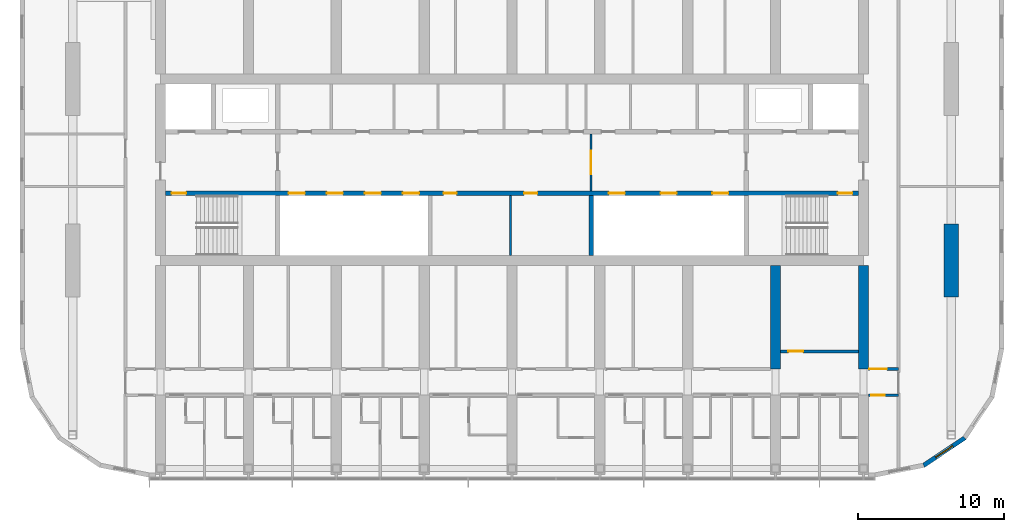
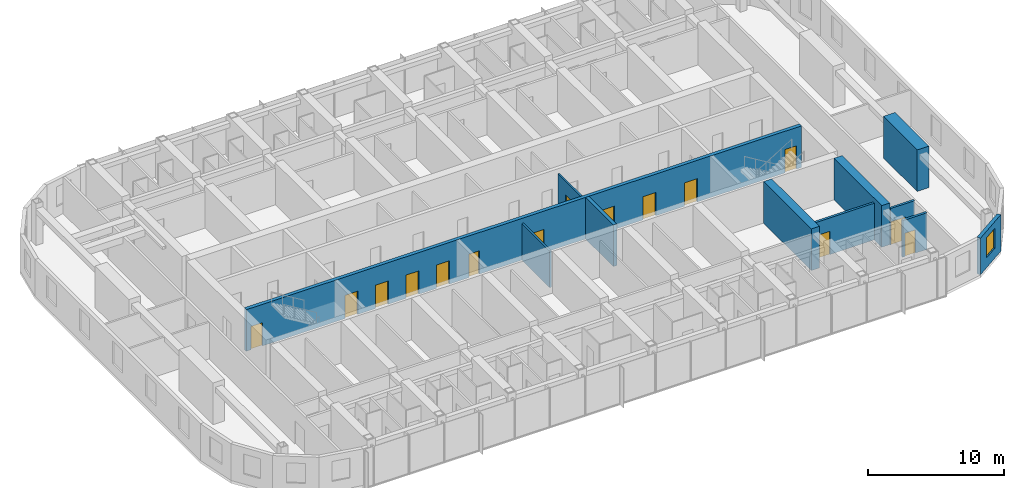
# One storey, part 14 of 24: 15 doors, 11 walls, 1 window, 16 openings.
"""IFC4 building model written with IfcOpenShell, lengths in metres."""

import ifcopenshell
import ifcopenshell.guid

model = None  # the IFC model being written
_history = None  # IfcOwnerHistory: only IFC2X3 demands one
_inside = {}  # id of a spatial element -> (the spatial element, [elements in it])
_under = {}  # id of a project, library or spatial element -> (it, [spatial elements below it])
_declared = {}  # id of a project -> (the project, [libraries it declares])
_typed = {}  # id of a type object -> (the type object, [elements of that type])
_made_of = {}  # id of a material, layer set ... -> (it, [elements and type objects made of it])


def new_model(schema):
    """Start an empty IFC model of exactly this schema.

    Asked for "IFC4X3", IfcOpenShell would pick the latest addendum, in which some entities
    have other attributes; the version numbers below select the first issue.
    IFC2X3 requires an IfcOwnerHistory on every rooted entity: one is made here for all.
    """
    global model, _history
    if schema == "IFC4X3":
        model = ifcopenshell.file(schema_version=(4, 3, 0, 0))
    else:
        model = ifcopenshell.file(schema=schema)
    _inside.clear()
    _under.clear()
    _declared.clear()
    _typed.clear()
    _made_of.clear()
    _history = None
    if model.schema == "IFC2X3":
        org = make("IfcOrganization", Name="unknown")
        user = make(
            "IfcPersonAndOrganization",
            ThePerson=make("IfcPerson", FamilyName="unknown"),
            TheOrganization=org,
        )
        app = make(
            "IfcApplication",
            ApplicationDeveloper=org,
            Version="unknown",
            ApplicationFullName="unknown",
            ApplicationIdentifier="unknown",
        )
        _history = make(
            "IfcOwnerHistory",
            OwningUser=user,
            OwningApplication=app,
            ChangeAction="ADDED",
            CreationDate=0,
        )
    return model


def make(cls, **values):
    """One entity of the class cls with the attributes given. An attribute that is None is left unset."""
    return model.create_entity(
        cls, **{name: value for name, value in values.items() if value is not None}
    )


def rooted(cls, **values):
    """An entity with a GlobalId (a new one), such as an element, a storey or a relation."""
    return make(cls, GlobalId=ifcopenshell.guid.new(), OwnerHistory=_history, **values)


def si_unit(unit_type, name, prefix=None):
    """IfcSIUnit, for example si_unit("LENGTHUNIT", "METRE", prefix="MILLI")."""
    return make("IfcSIUnit", UnitType=unit_type, Prefix=prefix, Name=name)


def assignment(units):
    """IfcUnitAssignment: the units of a project."""
    return None if units is None else make("IfcUnitAssignment", Units=units)


def point(xyz):
    """IfcCartesianPoint."""
    return None if xyz is None else make("IfcCartesianPoint", Coordinates=xyz)


def direction(xyz):
    """IfcDirection."""
    return None if xyz is None else make("IfcDirection", DirectionRatios=xyz)


def frame(location, z_axis=None, x_axis=None):
    """IfcAxis2Placement3D, a coordinate frame: its origin and axes. An axis left out is left unset."""
    return make(
        "IfcAxis2Placement3D",
        Location=point(location),
        Axis=direction(z_axis),
        RefDirection=direction(x_axis),
    )


def frame_2d(location, x_axis=None):
    """IfcAxis2Placement2D, a coordinate frame in the plane: its origin and x axis."""
    return make(
        "IfcAxis2Placement2D", Location=point(location), RefDirection=direction(x_axis)
    )


def origin():
    """The frame at (0, 0, 0) with its axes left unset."""
    return frame((0.0, 0.0, 0.0))


def place(relative_to, where):
    """IfcLocalPlacement: puts the frame where relative to a parent placement (None: the world)."""
    return make(
        "IfcLocalPlacement", PlacementRelTo=relative_to, RelativePlacement=where
    )


def context(
    kind, dimensions, precision=None, world=None, true_north=None, identifier=None
):
    """IfcGeometricRepresentationContext, for example the 3D "Model" context."""
    return make(
        "IfcGeometricRepresentationContext",
        ContextIdentifier=identifier,
        ContextType=kind,
        CoordinateSpaceDimension=dimensions,
        Precision=precision,
        WorldCoordinateSystem=world,
        TrueNorth=true_north,
    )


def subcontext(parent, identifier, kind, view, scale=None):
    """IfcGeometricRepresentationSubContext, for example "Body" below "Model"."""
    return make(
        "IfcGeometricRepresentationSubContext",
        ContextIdentifier=identifier,
        ContextType=kind,
        ParentContext=parent,
        TargetScale=scale,
        TargetView=view,
    )


def project(units=None, contexts=None):
    """IfcProject with its units and contexts."""
    return rooted(
        "IfcProject",
        Name="project",
        RepresentationContexts=contexts,
        UnitsInContext=assignment(units),
    )


def spatial(cls, under=None, at=None, **own):
    """A site, building, storey or space (cls), placed at a placement, below another one or the project."""
    s = rooted(cls, ObjectPlacement=at, **own)
    if under is not None:
        _under.setdefault(under.id(), (under, []))[1].append(s)
    return s


def polyline(points):
    """IfcPolyline through the points."""
    return make("IfcPolyline", Points=[point(p) for p in points])


def profile(cls, at=None, kind="AREA", **sizes):
    """A parametric profile (cls). Its sizes go by their IFC names, for example OverallWidth=200.0."""
    return make(cls, ProfileType=kind, Position=at, **sizes)


def rectangle(**sizes):
    """IfcRectangleProfileDef."""
    return profile("IfcRectangleProfileDef", **sizes)


def outline(outer, holes=None, kind="AREA"):
    """IfcArbitraryClosedProfileDef: a profile drawn as a closed curve; with holes, ...WithVoids."""
    if holes is None:
        return make("IfcArbitraryClosedProfileDef", ProfileType=kind, OuterCurve=outer)
    return make(
        "IfcArbitraryProfileDefWithVoids",
        ProfileType=kind,
        OuterCurve=outer,
        InnerCurves=holes,
    )


def extrude(swept, where, along, depth):
    """IfcExtrudedAreaSolid: the profile swept, set in the frame where, extruded along a direction by depth."""
    return make(
        "IfcExtrudedAreaSolid",
        SweptArea=swept,
        Position=where,
        ExtrudedDirection=direction(along),
        Depth=depth,
    )


def shape(context_of_items, identifier, shape_type, items):
    """IfcShapeRepresentation: the items that make up one representation, for example the "Body"."""
    return make(
        "IfcShapeRepresentation",
        ContextOfItems=context_of_items,
        RepresentationIdentifier=identifier,
        RepresentationType=shape_type,
        Items=items,
    )


def material(Name=None, Category=None):
    """IfcMaterial."""
    return make("IfcMaterial", Name=Name, Category=Category)


def layer(
    of_material, thickness, ventilated=None, Name=None, Category=None, Priority=None
):
    """IfcMaterialLayer: one layer of a wall or slab, of a material (None: an air gap)."""
    return make(
        "IfcMaterialLayer",
        Material=of_material,
        LayerThickness=thickness,
        IsVentilated=ventilated,
        Name=Name,
        Category=Category,
        Priority=Priority,
    )


def layer_set(layers, Name=None):
    """IfcMaterialLayerSet."""
    return make("IfcMaterialLayerSet", MaterialLayers=layers, LayerSetName=Name)


def made_of(thing, what):
    """Note that an element or type object is made of a material, layer set ...; save() writes the relation."""
    if what is not None:
        _made_of.setdefault(what.id(), (what, []))[1].append(thing)
    return thing


def type_object(cls, material=None, **own):
    """A type object (cls), such as IfcWallType, which elements share."""
    return made_of(rooted(cls, **own), material)


def element(
    cls,
    number,
    at=None,
    inside=None,
    cuts=None,
    type_object=None,
    material=None,
    context=None,
    identifier="Body",
    shape_type=None,
    held_by="IfcProductDefinitionShape",
    body=None,
    shapes=None,
    **own,
):
    """One element of the class cls, such as IfcWall. Its Tag is "e" and its number.

    at: its placement. inside: the storey or other place that contains it. cuts: it is an
    opening in that element (IfcRelVoidsElement). A single representation is given by context,
    identifier, shape_type and body (its items); several are given by shapes. held_by: the class
    of the entity that holds the representations. save() writes the other relations.
    """
    e = rooted(cls, Tag="e%d" % number, ObjectPlacement=at, **own)
    if body is not None:
        shapes = [shape(context, identifier, shape_type, body)]
    if shapes is not None:
        e.Representation = make(held_by, Representations=shapes)
    if inside is not None:
        _inside.setdefault(inside.id(), (inside, []))[1].append(e)
    if cuts is not None:
        rooted(
            "IfcRelVoidsElement", RelatingBuildingElement=cuts, RelatedOpeningElement=e
        )
    if type_object is not None:
        _typed.setdefault(type_object.id(), (type_object, []))[1].append(e)
    return made_of(e, material)


def fill(opening, filler):
    """IfcRelFillsElement: the door or window that sits in an opening."""
    return rooted(
        "IfcRelFillsElement",
        RelatingOpeningElement=opening,
        RelatedBuildingElement=filler,
    )


def aggregate(whole, parts):
    """IfcRelAggregates: a whole, such as a stair, and the parts it consists of."""
    return rooted("IfcRelAggregates", RelatingObject=whole, RelatedObjects=parts)


def save(model, path):
    """Write the relations noted so far, then the file.

    IfcRelAggregates (storeys below a building ...), IfcRelContainedInSpatialStructure (elements
    in a storey), IfcRelDefinesByType, IfcRelAssociatesMaterial and IfcRelDeclares: one each for
    every whole, place, type object, material and project.
    """
    for whole, parts in _under.values():
        aggregate(whole, parts)
    for where, things in _inside.values():
        rooted(
            "IfcRelContainedInSpatialStructure",
            RelatedElements=things,
            RelatingStructure=where,
        )
    for kind, things in _typed.values():
        rooted("IfcRelDefinesByType", RelatedObjects=things, RelatingType=kind)
    for what, things in _made_of.values():
        rooted("IfcRelAssociatesMaterial", RelatedObjects=things, RelatingMaterial=what)
    for by, libraries in _declared.values():
        rooted("IfcRelDeclares", RelatingContext=by, RelatedDefinitions=libraries)
    model.write(path)


model = new_model("IFC4")

# Units and contexts
model_context = context("Model", 3, precision=1e-05, world=origin(), true_north=direction((0.0, 1.0)))
body_context = subcontext(model_context, "Body", "Model", "MODEL_VIEW")
ifc_project = project(units=[si_unit("LENGTHUNIT", "METRE"), si_unit("AREAUNIT", "SQUARE_METRE"), si_unit("VOLUMEUNIT", "CUBIC_METRE"), si_unit("PLANEANGLEUNIT", "RADIAN"), si_unit("MASSUNIT", "GRAM", prefix="KILO")], contexts=[model_context])

# Site, building, storey
site_placement = place(None, origin())
site = spatial("IfcSite", under=ifc_project, at=site_placement, CompositionType="ELEMENT")
building_placement = place(site_placement, origin())
building = spatial("IfcBuilding", under=site, at=building_placement, Name="Orbita Commons", CompositionType="ELEMENT")
storey_placement = place(building_placement, frame((0.0, 0.0, 242.800048828125)))
storey = spatial("IfcBuildingStorey", under=building, at=storey_placement, Name="L60", CompositionType="ELEMENT", Elevation=242.800048828125)

# Wall, openings, doors
ifc_material_1 = material(Name="Concrete C50/60", Category="concrete")
ifc_layer_1 = layer(ifc_material_1, 0.300048828125)
ifc_layer_set_1 = layer_set([ifc_layer_1], Name="Concrete C50/60")
wall_type_1 = type_object("IfcWallType", Name="Core inner wall 300 C50/60", PredefinedType="SHEAR", material=ifc_layer_set_1)
wall_1_placement = place(storey_placement, frame((18.35009765625, 30.39990234375, 0.0), z_axis=(0.0, 0.0, 1.0), x_axis=(1.0, 0.0, 0.0)))
wall_1 = element("IfcWall", 1, at=wall_1_placement, inside=storey, type_object=wall_type_1, Name="Lobby wall south L60", PredefinedType="SHEAR", context=body_context, shape_type="SweptSolid", body=[
    extrude(rectangle(XDim=47.2998046875, YDim=0.300048828125, at=frame_2d((23.64990234375, 0.0))), origin(), (0.0, 0.0, 1.0), 3.75),
])
opening_1_placement = place(wall_1_placement, frame((0.39990234375, 0.0, 0.0)))
opening_1 = element("IfcOpeningElement", 2, at=opening_1_placement, cuts=wall_1, Name="Opening D02", PredefinedType="OPENING", context=body_context, shape_type="SweptSolid", body=[
    extrude(rectangle(XDim=1.0, YDim=2.10009765625, at=frame_2d((0.5, 1.050048828125))), frame((0.0, 0.159912109375, 0.0), z_axis=(0.0, -1.0, 0.0), x_axis=(1.0, 0.0, 0.0)), (0.0, 0.0, 1.0), 0.320068359375),
])
opening_2_placement = place(wall_1_placement, frame((45.89990234375, 0.0, 0.0)))
opening_2 = element("IfcOpeningElement", 3, at=opening_2_placement, cuts=wall_1, Name="Opening D02", PredefinedType="OPENING", context=body_context, shape_type="SweptSolid", body=[
    extrude(rectangle(XDim=1.0, YDim=2.10009765625, at=frame_2d((0.5, 1.050048828125))), frame((0.0, 0.159912109375, 0.0), z_axis=(0.0, -1.0, 0.0), x_axis=(1.0, 0.0, 0.0)), (0.0, 0.0, 1.0), 0.320068359375),
])
opening_3_placement = place(wall_1_placement, frame((8.39990234375, 0.0, 0.0)))
opening_3 = element("IfcOpeningElement", 4, at=opening_3_placement, cuts=wall_1, Name="Opening LD02", PredefinedType="OPENING", context=body_context, shape_type="SweptSolid", body=[
    extrude(rectangle(XDim=1.10009765625, YDim=2.10009765625, at=frame_2d((0.550048828125, 1.050048828125))), frame((0.0, 0.159912109375, 0.0), z_axis=(0.0, -1.0, 0.0), x_axis=(1.0, 0.0, 0.0)), (0.0, 0.0, 1.0), 0.320068359375),
])
opening_4_placement = place(wall_1_placement, frame((11.0, 0.0, 0.0)))
opening_4 = element("IfcOpeningElement", 5, at=opening_4_placement, cuts=wall_1, Name="Opening LD02", PredefinedType="OPENING", context=body_context, shape_type="SweptSolid", body=[
    extrude(rectangle(XDim=1.10009765625, YDim=2.10009765625, at=frame_2d((0.550048828125, 1.050048828125))), frame((0.0, 0.159912109375, 0.0), z_axis=(0.0, -1.0, 0.0), x_axis=(1.0, 0.0, 0.0)), (0.0, 0.0, 1.0), 0.320068359375),
])
opening_5_placement = place(wall_1_placement, frame((13.60009765625, 0.0, 0.0)))
opening_5 = element("IfcOpeningElement", 6, at=opening_5_placement, cuts=wall_1, Name="Opening LD02", PredefinedType="OPENING", context=body_context, shape_type="SweptSolid", body=[
    extrude(rectangle(XDim=1.10009765625, YDim=2.10009765625, at=frame_2d((0.550048828125, 1.050048828125))), frame((0.0, 0.159912109375, 0.0), z_axis=(0.0, -1.0, 0.0), x_axis=(1.0, 0.0, 0.0)), (0.0, 0.0, 1.0), 0.320068359375),
])
opening_6_placement = place(wall_1_placement, frame((16.199951171875, 0.0, 0.0)))
opening_6 = element("IfcOpeningElement", 7, at=opening_6_placement, cuts=wall_1, Name="Opening LD02", PredefinedType="OPENING", context=body_context, shape_type="SweptSolid", body=[
    extrude(rectangle(XDim=1.10009765625, YDim=2.10009765625, at=frame_2d((0.550048828125, 1.050048828125))), frame((0.0, 0.159912109375, 0.0), z_axis=(0.0, -1.0, 0.0), x_axis=(1.0, 0.0, 0.0)), (0.0, 0.0, 1.0), 0.320068359375),
])
opening_7_placement = place(wall_1_placement, frame((18.97509765625, 0.0, 0.0)))
opening_7 = element("IfcOpeningElement", 8, at=opening_7_placement, cuts=wall_1, Name="Opening D05", PredefinedType="OPENING", context=body_context, shape_type="SweptSolid", body=[
    extrude(rectangle(XDim=0.89990234375, YDim=2.10009765625, at=frame_2d((0.449951171875, 1.050048828125))), frame((0.0, 0.159912109375, 0.0), z_axis=(0.0, -1.0, 0.0), x_axis=(1.0, 0.0, 0.0)), (0.0, 0.0, 1.0), 0.320068359375),
])
opening_8_placement = place(wall_1_placement, frame((24.47509765625, 0.0, 0.0)))
opening_8 = element("IfcOpeningElement", 9, at=opening_8_placement, cuts=wall_1, Name="Opening D05", PredefinedType="OPENING", context=body_context, shape_type="SweptSolid", body=[
    extrude(rectangle(XDim=0.89990234375, YDim=2.10009765625, at=frame_2d((0.449951171875, 1.050048828125))), frame((0.0, 0.159912109375, 0.0), z_axis=(0.0, -1.0, 0.0), x_axis=(1.0, 0.0, 0.0)), (0.0, 0.0, 1.0), 0.320068359375),
])
opening_9_placement = place(wall_1_placement, frame((30.2666015625, 0.0, 0.0)))
opening_9 = element("IfcOpeningElement", 10, at=opening_9_placement, cuts=wall_1, Name="Opening LD02", PredefinedType="OPENING", context=body_context, shape_type="SweptSolid", body=[
    extrude(rectangle(XDim=1.10009765625, YDim=2.10009765625, at=frame_2d((0.550048828125, 1.050048828125))), frame((0.0, 0.159912109375, 0.0), z_axis=(0.0, -1.0, 0.0), x_axis=(1.0, 0.0, 0.0)), (0.0, 0.0, 1.0), 0.320068359375),
])
opening_10_placement = place(wall_1_placement, frame((33.800048828125, 0.0, 0.0)))
opening_10 = element("IfcOpeningElement", 11, at=opening_10_placement, cuts=wall_1, Name="Opening LD02", PredefinedType="OPENING", context=body_context, shape_type="SweptSolid", body=[
    extrude(rectangle(XDim=1.10009765625, YDim=2.10009765625, at=frame_2d((0.550048828125, 1.050048828125))), frame((0.0, 0.159912109375, 0.0), z_axis=(0.0, -1.0, 0.0), x_axis=(1.0, 0.0, 0.0)), (0.0, 0.0, 1.0), 0.320068359375),
])
opening_11_placement = place(wall_1_placement, frame((37.333251953125, 0.0, 0.0)))
opening_11 = element("IfcOpeningElement", 12, at=opening_11_placement, cuts=wall_1, Name="Opening LD02", PredefinedType="OPENING", context=body_context, shape_type="SweptSolid", body=[
    extrude(rectangle(XDim=1.10009765625, YDim=2.10009765625, at=frame_2d((0.550048828125, 1.050048828125))), frame((0.0, 0.159912109375, 0.0), z_axis=(0.0, -1.0, 0.0), x_axis=(1.0, 0.0, 0.0)), (0.0, 0.0, 1.0), 0.320068359375),
])
ifc_material_2 = material(Name="Steel-faced fire door leaf", Category="steel")
door_type_1 = type_object("IfcDoorType", Name="Fire door 90 min 1000x2100", OperationType="SINGLE_SWING_LEFT", PredefinedType="DOOR", material=ifc_material_2)
door_1_placement = place(opening_1_placement, origin())
door_1 = element("IfcDoor", 13, at=door_1_placement, inside=storey, type_object=door_type_1, Name="Stair S1 door", OperationType="SINGLE_SWING_LEFT", OverallHeight=2.10009765625, OverallWidth=1.0, PredefinedType="DOOR", context=body_context, shape_type="SweptSolid", body=[
    extrude(rectangle(XDim=1.0, YDim=2.10009765625, at=frame_2d((0.5, 1.050048828125))), frame((0.0, 0.02490234375, 0.0), z_axis=(0.0, -1.0, 0.0), x_axis=(1.0, 0.0, 0.0)), (0.0, 0.0, 1.0), 0.050048828125),
])
fill(opening_1, door_1)
door_2_placement = place(opening_2_placement, origin())
door_2 = element("IfcDoor", 14, at=door_2_placement, inside=storey, type_object=door_type_1, Name="Stair S2 door", OperationType="SINGLE_SWING_LEFT", OverallHeight=2.10009765625, OverallWidth=1.0, PredefinedType="DOOR", context=body_context, shape_type="SweptSolid", body=[
    extrude(rectangle(XDim=1.0, YDim=2.10009765625, at=frame_2d((0.5, 1.050048828125))), frame((0.0, 0.02490234375, 0.0), z_axis=(0.0, -1.0, 0.0), x_axis=(1.0, 0.0, 0.0)), (0.0, 0.0, 1.0), 0.050048828125),
])
fill(opening_2, door_2)
ifc_material_3 = material(Name="Steel-faced fire door leaf", Category="steel")
door_type_2 = type_object("IfcDoorType", Name="Lift landing door 1100x2100", OperationType="DOUBLE_DOOR_SLIDING", PredefinedType="DOOR", material=ifc_material_3)
door_3_placement = place(opening_3_placement, origin())
door_3 = element("IfcDoor", 15, at=door_3_placement, inside=storey, type_object=door_type_2, Name="Lift P41 landing door", OperationType="DOUBLE_DOOR_SLIDING", OverallHeight=2.10009765625, OverallWidth=1.10009765625, PredefinedType="DOOR", context=body_context, shape_type="SweptSolid", body=[
    extrude(rectangle(XDim=1.10009765625, YDim=2.10009765625, at=frame_2d((0.550048828125, 1.050048828125))), frame((0.0, 0.02490234375, 0.0), z_axis=(0.0, -1.0, 0.0), x_axis=(1.0, 0.0, 0.0)), (0.0, 0.0, 1.0), 0.050048828125),
])
fill(opening_3, door_3)
door_4_placement = place(opening_4_placement, origin())
door_4 = element("IfcDoor", 16, at=door_4_placement, inside=storey, type_object=door_type_2, Name="Lift P42 landing door", OperationType="DOUBLE_DOOR_SLIDING", OverallHeight=2.10009765625, OverallWidth=1.10009765625, PredefinedType="DOOR", context=body_context, shape_type="SweptSolid", body=[
    extrude(rectangle(XDim=1.10009765625, YDim=2.10009765625, at=frame_2d((0.550048828125, 1.050048828125))), frame((0.0, 0.02490234375, 0.0), z_axis=(0.0, -1.0, 0.0), x_axis=(1.0, 0.0, 0.0)), (0.0, 0.0, 1.0), 0.050048828125),
])
fill(opening_4, door_4)
door_5_placement = place(opening_5_placement, origin())
door_5 = element("IfcDoor", 17, at=door_5_placement, inside=storey, type_object=door_type_2, Name="Lift P43 landing door", OperationType="DOUBLE_DOOR_SLIDING", OverallHeight=2.10009765625, OverallWidth=1.10009765625, PredefinedType="DOOR", context=body_context, shape_type="SweptSolid", body=[
    extrude(rectangle(XDim=1.10009765625, YDim=2.10009765625, at=frame_2d((0.550048828125, 1.050048828125))), frame((0.0, 0.02490234375, 0.0), z_axis=(0.0, -1.0, 0.0), x_axis=(1.0, 0.0, 0.0)), (0.0, 0.0, 1.0), 0.050048828125),
])
fill(opening_5, door_5)
door_6_placement = place(opening_6_placement, origin())
door_6 = element("IfcDoor", 18, at=door_6_placement, inside=storey, type_object=door_type_2, Name="Lift P44 landing door", OperationType="DOUBLE_DOOR_SLIDING", OverallHeight=2.10009765625, OverallWidth=1.10009765625, PredefinedType="DOOR", context=body_context, shape_type="SweptSolid", body=[
    extrude(rectangle(XDim=1.10009765625, YDim=2.10009765625, at=frame_2d((0.550048828125, 1.050048828125))), frame((0.0, 0.02490234375, 0.0), z_axis=(0.0, -1.0, 0.0), x_axis=(1.0, 0.0, 0.0)), (0.0, 0.0, 1.0), 0.050048828125),
])
fill(opening_6, door_6)
door_7_placement = place(opening_9_placement, origin())
door_7 = element("IfcDoor", 19, at=door_7_placement, inside=storey, type_object=door_type_2, Name="Lift SV1 landing door", OperationType="DOUBLE_DOOR_SLIDING", OverallHeight=2.10009765625, OverallWidth=1.10009765625, PredefinedType="DOOR", context=body_context, shape_type="SweptSolid", body=[
    extrude(rectangle(XDim=1.10009765625, YDim=2.10009765625, at=frame_2d((0.550048828125, 1.050048828125))), frame((0.0, 0.02490234375, 0.0), z_axis=(0.0, -1.0, 0.0), x_axis=(1.0, 0.0, 0.0)), (0.0, 0.0, 1.0), 0.050048828125),
])
fill(opening_9, door_7)
door_8_placement = place(opening_10_placement, origin())
door_8 = element("IfcDoor", 20, at=door_8_placement, inside=storey, type_object=door_type_2, Name="Lift SV2 landing door", OperationType="DOUBLE_DOOR_SLIDING", OverallHeight=2.10009765625, OverallWidth=1.10009765625, PredefinedType="DOOR", context=body_context, shape_type="SweptSolid", body=[
    extrude(rectangle(XDim=1.10009765625, YDim=2.10009765625, at=frame_2d((0.550048828125, 1.050048828125))), frame((0.0, 0.02490234375, 0.0), z_axis=(0.0, -1.0, 0.0), x_axis=(1.0, 0.0, 0.0)), (0.0, 0.0, 1.0), 0.050048828125),
])
fill(opening_10, door_8)
door_9_placement = place(opening_11_placement, origin())
door_9 = element("IfcDoor", 21, at=door_9_placement, inside=storey, type_object=door_type_2, Name="Lift SV3 landing door", OperationType="DOUBLE_DOOR_SLIDING", OverallHeight=2.10009765625, OverallWidth=1.10009765625, PredefinedType="DOOR", context=body_context, shape_type="SweptSolid", body=[
    extrude(rectangle(XDim=1.10009765625, YDim=2.10009765625, at=frame_2d((0.550048828125, 1.050048828125))), frame((0.0, 0.02490234375, 0.0), z_axis=(0.0, -1.0, 0.0), x_axis=(1.0, 0.0, 0.0)), (0.0, 0.0, 1.0), 0.050048828125),
])
fill(opening_11, door_9)
ifc_material_4 = material(Name="Steel-faced fire door leaf", Category="steel")
door_type_3 = type_object("IfcDoorType", Name="Service door 20 min 900x2100", OperationType="SINGLE_SWING_LEFT", PredefinedType="DOOR", material=ifc_material_4)
door_10_placement = place(opening_7_placement, origin())
door_10 = element("IfcDoor", 22, at=door_10_placement, inside=storey, type_object=door_type_3, Name="Equipment store door", OperationType="SINGLE_SWING_LEFT", OverallHeight=2.10009765625, OverallWidth=0.89990234375, PredefinedType="DOOR", context=body_context, shape_type="SweptSolid", body=[
    extrude(rectangle(XDim=0.89990234375, YDim=2.10009765625, at=frame_2d((0.449951171875, 1.050048828125))), frame((0.0, 0.02490234375, 0.0), z_axis=(0.0, -1.0, 0.0), x_axis=(1.0, 0.0, 0.0)), (0.0, 0.0, 1.0), 0.050048828125),
])
fill(opening_7, door_10)
door_11_placement = place(opening_8_placement, origin())
door_11 = element("IfcDoor", 23, at=door_11_placement, inside=storey, type_object=door_type_3, Name="IT room door", OperationType="SINGLE_SWING_LEFT", OverallHeight=2.10009765625, OverallWidth=0.89990234375, PredefinedType="DOOR", context=body_context, shape_type="SweptSolid", body=[
    extrude(rectangle(XDim=0.89990234375, YDim=2.10009765625, at=frame_2d((0.449951171875, 1.050048828125))), frame((0.0, 0.02490234375, 0.0), z_axis=(0.0, -1.0, 0.0), x_axis=(1.0, 0.0, 0.0)), (0.0, 0.0, 1.0), 0.050048828125),
])
fill(opening_8, door_11)

# Wall
wall_2_placement = place(storey_placement, frame((47.39990234375, 26.14990234375, 0.0), z_axis=(0.0, 0.0, 1.0), x_axis=(0.0, 1.0, 0.0)))
element("IfcWall", 24, at=wall_2_placement, inside=storey, type_object=wall_type_1, Name="Hoistway division wall L60", PredefinedType="SHEAR", context=body_context, shape_type="SweptSolid", body=[
    extrude(rectangle(XDim=4.10009765625, YDim=0.300048828125, at=frame_2d((2.050048828125, 0.0))), origin(), (0.0, 0.0, 1.0), 3.75),
])

# Wall, opening, door
ifc_material_5 = material(Name="Concrete blockwork", Category="masonry")
ifc_layer_2 = layer(ifc_material_5, 0.14990234375)
ifc_layer_set_2 = layer_set([ifc_layer_2], Name="Concrete blockwork")
wall_type_2 = type_object("IfcWallType", Name="Core partition 150 blockwork", PredefinedType="SOLIDWALL", material=ifc_layer_set_2)
wall_3_placement = place(storey_placement, frame((47.39990234375, 30.550048828125, 0.0), z_axis=(0.0, 0.0, 1.0), x_axis=(0.0, 1.0, 0.0)))
wall_3 = element("IfcWall", 25, at=wall_3_placement, inside=storey, type_object=wall_type_2, Name="Core partition 150 blockwork L60", PredefinedType="SOLIDWALL", context=body_context, shape_type="SweptSolid", body=[
    extrude(rectangle(XDim=3.89990234375, YDim=0.14990234375, at=frame_2d((1.949951171875, 0.0))), origin(), (0.0, 0.0, 1.0), 3.300048828125),
])
opening_12_placement = place(wall_3_placement, frame((1.14990234375, 0.0, 0.0)))
opening_12 = element("IfcOpeningElement", 26, at=opening_12_placement, cuts=wall_3, Name="Opening D10", PredefinedType="OPENING", context=body_context, shape_type="SweptSolid", body=[
    extrude(rectangle(XDim=1.60009765625, YDim=2.10009765625, at=frame_2d((0.800048828125, 1.050048828125))), frame((0.0, 0.0849609375, 0.0), z_axis=(0.0, -1.0, 0.0), x_axis=(1.0, 0.0, 0.0)), (0.0, 0.0, 1.0), 0.169921875),
])
ifc_material_6 = material(Name="Steel-faced fire door leaf", Category="steel")
door_type_4 = type_object("IfcDoorType", Name="Double corridor door 20 min 1600x2100", OperationType="DOUBLE_DOOR_SINGLE_SWING", PredefinedType="DOOR", material=ifc_material_6)
door_12_placement = place(opening_12_placement, origin())
door_12 = element("IfcDoor", 27, at=door_12_placement, inside=storey, type_object=door_type_4, Name="Lift lobby screen doors", OperationType="DOUBLE_DOOR_SINGLE_SWING", OverallHeight=2.10009765625, OverallWidth=1.60009765625, PredefinedType="DOOR", context=body_context, shape_type="SweptSolid", body=[
    extrude(rectangle(XDim=1.60009765625, YDim=2.10009765625, at=frame_2d((0.800048828125, 1.050048828125))), frame((0.0, 0.02490234375, 0.0), z_axis=(0.0, -1.0, 0.0), x_axis=(1.0, 0.0, 0.0)), (0.0, 0.0, 1.0), 0.050048828125),
])
fill(opening_12, door_12)

# Wall
wall_4_placement = place(storey_placement, frame((41.89990234375, 26.14990234375, 0.0), z_axis=(0.0, 0.0, 1.0), x_axis=(0.0, 1.0, 0.0)))
element("IfcWall", 28, at=wall_4_placement, inside=storey, type_object=wall_type_2, Name="Core partition 150 blockwork L60", PredefinedType="SOLIDWALL", context=body_context, shape_type="SweptSolid", body=[
    extrude(rectangle(XDim=4.10009765625, YDim=0.14990234375, at=frame_2d((2.050048828125, 0.0))), origin(), (0.0, 0.0, 1.0), 3.300048828125),
])

# Wall, opening, door
ifc_material_7 = material(Name="Concrete blockwork", Category="masonry")
ifc_layer_3 = layer(ifc_material_7, 0.199951171875)
ifc_layer_set_3 = layer_set([ifc_layer_3], Name="Concrete blockwork")
wall_type_3 = type_object("IfcWallType", Name="Corridor wall 200 blockwork", PredefinedType="SOLIDWALL", material=ifc_layer_set_3)
wall_5_placement = place(storey_placement, frame((66.35009765625, 16.60009765625, 0.0), z_axis=(0.0, 0.0, 1.0), x_axis=(1.0, 0.0, 0.0)))
wall_5 = element("IfcWall", 29, at=wall_5_placement, inside=storey, type_object=wall_type_3, Name="Corridor wall 200 blockwork L60", PredefinedType="SOLIDWALL", context=body_context, shape_type="SweptSolid", body=[
    extrude(rectangle(XDim=2.0498046875, YDim=0.199951171875, at=frame_2d((1.02490234375, 0.0))), origin(), (0.0, 0.0, 1.0), 3.300048828125),
])
opening_13_placement = place(wall_5_placement, frame((0.199951171875, 0.0, 0.0)))
opening_13 = element("IfcOpeningElement", 30, at=opening_13_placement, cuts=wall_5, Name="Opening D05", PredefinedType="OPENING", context=body_context, shape_type="SweptSolid", body=[
    extrude(rectangle(XDim=0.89990234375, YDim=2.10009765625, at=frame_2d((0.449951171875, 1.050048828125))), frame((0.0, 0.10986328125, 0.0), z_axis=(0.0, -1.0, 0.0), x_axis=(1.0, 0.0, 0.0)), (0.0, 0.0, 1.0), 0.219970703125),
])
door_13_placement = place(opening_13_placement, origin())
door_13 = element("IfcDoor", 31, at=door_13_placement, inside=storey, type_object=door_type_3, Name="Linen store L60-KES door", OperationType="SINGLE_SWING_LEFT", OverallHeight=2.10009765625, OverallWidth=0.89990234375, PredefinedType="DOOR", context=body_context, shape_type="SweptSolid", body=[
    extrude(rectangle(XDim=0.89990234375, YDim=2.10009765625, at=frame_2d((0.449951171875, 1.050048828125))), frame((0.0, 0.02490234375, 0.0), z_axis=(0.0, -1.0, 0.0), x_axis=(1.0, 0.0, 0.0)), (0.0, 0.0, 1.0), 0.050048828125),
])
fill(opening_13, door_13)

ifc_material_8 = material(Name="Hollow concrete block 200", Category="concrete")
ifc_layer_4 = layer(ifc_material_8, 0.199951171875)
ifc_layer_set_4 = layer_set([ifc_layer_4], Name="Hollow concrete block 200")
wall_type_4 = type_object("IfcWallType", Name="Corridor wall 200 hollow concrete block", PredefinedType="SOLIDWALL", material=ifc_layer_set_4)
wall_6_placement = place(storey_placement, frame((66.35009765625, 18.39990234375, 0.0), z_axis=(0.0, 0.0, 1.0), x_axis=(1.0, 0.0, 0.0)))
wall_6 = element("IfcWall", 32, at=wall_6_placement, inside=storey, type_object=wall_type_4, Name="Corridor wall 200 hollow concrete block L60", PredefinedType="SOLIDWALL", context=body_context, shape_type="SweptSolid", body=[
    extrude(rectangle(XDim=2.0498046875, YDim=0.199951171875, at=frame_2d((1.02490234375, 0.0))), origin(), (0.0, 0.0, 1.0), 3.300048828125),
])
opening_14_placement = place(wall_6_placement, frame((0.050048828125, 0.0, 0.0)))
opening_14 = element("IfcOpeningElement", 33, at=opening_14_placement, cuts=wall_6, Name="Opening D12", PredefinedType="OPENING", context=body_context, shape_type="SweptSolid", body=[
    extrude(rectangle(XDim=1.199951171875, YDim=2.10009765625, at=frame_2d((0.60009765625, 1.050048828125))), frame((0.0, 0.10986328125, 0.0), z_axis=(0.0, -1.0, 0.0), x_axis=(1.0, 0.0, 0.0)), (0.0, 0.0, 1.0), 0.219970703125),
])
ifc_material_9 = material(Name="Steel-faced fire door leaf", Category="steel")
door_type_5 = type_object("IfcDoorType", Name="Double corridor door 20 min 1200x2100", OperationType="DOUBLE_DOOR_SINGLE_SWING", PredefinedType="DOOR", material=ifc_material_9)
door_14_placement = place(opening_14_placement, origin())
door_14 = element("IfcDoor", 34, at=door_14_placement, inside=storey, type_object=door_type_5, Name="Cross corridor doors", OperationType="DOUBLE_DOOR_SINGLE_SWING", OverallHeight=2.10009765625, OverallWidth=1.199951171875, PredefinedType="DOOR", context=body_context, shape_type="SweptSolid", body=[
    extrude(rectangle(XDim=1.199951171875, YDim=2.10009765625, at=frame_2d((0.60009765625, 1.050048828125))), frame((0.0, 0.02490234375, 0.0), z_axis=(0.0, -1.0, 0.0), x_axis=(1.0, 0.0, 0.0)), (0.0, 0.0, 1.0), 0.050048828125),
])
fill(opening_14, door_14)

wall_7_placement = place(storey_placement, frame((60.35009765625, 19.60009765625, 0.0), z_axis=(0.0, 0.0, 1.0), x_axis=(1.0, 0.0, 0.0)))
wall_7 = element("IfcWall", 35, at=wall_7_placement, inside=storey, type_object=wall_type_4, Name="Corridor wall 200 hollow concrete block L60", PredefinedType="SOLIDWALL", context=body_context, shape_type="SweptSolid", body=[
    extrude(rectangle(XDim=5.2998046875, YDim=0.199951171875, at=frame_2d((2.64990234375, 0.0))), origin(), (0.0, 0.0, 1.0), 3.300048828125),
])
opening_15_placement = place(wall_7_placement, frame((0.52490234375, 0.0, 0.0)))
opening_15 = element("IfcOpeningElement", 36, at=opening_15_placement, cuts=wall_7, Name="Opening D06", PredefinedType="OPENING", context=body_context, shape_type="SweptSolid", body=[
    extrude(rectangle(XDim=1.0, YDim=2.10009765625, at=frame_2d((0.5, 1.050048828125))), frame((0.0, 0.10986328125, 0.0), z_axis=(0.0, -1.0, 0.0), x_axis=(1.0, 0.0, 0.0)), (0.0, 0.0, 1.0), 0.219970703125),
])
ifc_material_10 = material(Name="Steel-faced fire door leaf", Category="steel")
door_type_6 = type_object("IfcDoorType", Name="Corridor door 20 min 1000x2100", OperationType="SINGLE_SWING_LEFT", PredefinedType="DOOR", material=ifc_material_10)
door_15_placement = place(opening_15_placement, origin())
door_15 = element("IfcDoor", 37, at=door_15_placement, inside=storey, type_object=door_type_6, Name="Ventilation plant room north L60-BDS60 door", OperationType="SINGLE_SWING_LEFT", OverallHeight=2.10009765625, OverallWidth=1.0, PredefinedType="DOOR", context=body_context, shape_type="SweptSolid", body=[
    extrude(rectangle(XDim=1.0, YDim=2.10009765625, at=frame_2d((0.5, 1.050048828125))), frame((0.0, 0.02490234375, 0.0), z_axis=(0.0, -1.0, 0.0), x_axis=(1.0, 0.0, 0.0)), (0.0, 0.0, 1.0), 0.050048828125),
])
fill(opening_15, door_15)

# Walls
ifc_material_11 = material(Name="Concrete C50/60", Category="concrete")
ifc_layer_5 = layer(ifc_material_11, 0.699951171875)
ifc_layer_set_5 = layer_set([ifc_layer_5], Name="Concrete C50/60")
wall_type_5 = type_object("IfcWallType", Name="Cross wall 700 C50/60", PredefinedType="SHEAR", material=ifc_layer_set_5)
for number, where, z_axis, x_axis, name in (
    (38, (60.0, 18.39990234375, 0.0), (0.0, 0.0, 1.0), (0.0, 1.0, 0.0), "Cross wall 11 south inner L60"),
    (39, (66.0, 18.39990234375, 0.0), (0.0, 0.0, 1.0), (0.0, 1.0, 0.0), "Cross wall 12 south inner L60"),
):
    element("IfcWall", number, at=place(storey_placement, frame(where, z_axis=z_axis, x_axis=x_axis)), inside=storey, type_object=wall_type_5, Name=name, PredefinedType="SHEAR", context=body_context, shape_type="SweptSolid", body=[
        extrude(rectangle(XDim=7.050048828125, YDim=0.699951171875, at=frame_2d((3.52490234375, 0.0))), origin(), (0.0, 0.0, 1.0), 3.75),
    ])
ifc_material_12 = material(Name="Concrete C50/60", Category="concrete")
ifc_layer_6 = layer(ifc_material_12, 1.0)
ifc_layer_set_6 = layer_set([ifc_layer_6], Name="Concrete C50/60")
wall_type_6 = type_object("IfcWallType", Name="End pier 1000x5000 C50/60", PredefinedType="SHEAR", material=ifc_layer_set_6)
wall_8_placement = place(storey_placement, frame((72.0, 23.300048828125, 0.0), z_axis=(0.0, 0.0, 1.0), x_axis=(0.0, 1.0, 0.0)))
element("IfcWall", 40, at=wall_8_placement, inside=storey, type_object=wall_type_6, Name="End pier 13/C L60", PredefinedType="SHEAR", context=body_context, shape_type="SweptSolid", body=[
    extrude(rectangle(XDim=5.0, YDim=1.0, at=frame_2d((2.5, 0.0))), origin(), (0.0, 0.0, 1.0), 3.75),
])

# Wall, opening, window
ifc_material_13 = material(Name="Precast concrete C40/50, white board-marked finish", Category="concrete")
ifc_layer_7 = layer(ifc_material_13, 0.300048828125)
ifc_layer_set_7 = layer_set([ifc_layer_7], Name="Precast concrete C40/50, white board-marked finish")
wall_type_7 = type_object("IfcWallType", Name="Precast concrete end shield 300", PredefinedType="SOLIDWALL", material=ifc_layer_set_7)
wall_9_placement = place(storey_placement, frame((70.110107421875, 11.808349609375, 0.0), z_axis=(0.0, 0.0, 1.0), x_axis=(0.831460037396, 0.555584562613, 0.0)))
wall_9 = element("IfcWall", 41, at=wall_9_placement, inside=storey, type_object=wall_type_7, Name="End shield SE chord 2 L60", PredefinedType="SOLIDWALL", context=body_context, shape_type="SweptSolid", body=[
    extrude(outline(polyline([(-0.02978515625, -0.14990234375), (3.405029296875, -0.14990234375), (3.345458984375, 0.14990234375), (0.02978515625, 0.14990234375), (-0.02978515625, -0.14990234375)])), origin(), (0.0, 0.0, 1.0), 3.300048828125),
])
opening_16_placement = place(wall_9_placement, frame((0.987548828125, 0.0, 0.89990234375)))
opening_16 = element("IfcOpeningElement", 42, at=opening_16_placement, cuts=wall_9, Name="Opening W02", PredefinedType="OPENING", context=body_context, shape_type="SweptSolid", body=[
    extrude(rectangle(XDim=1.39990234375, YDim=1.800048828125, at=frame_2d((0.699951171875, 0.89990234375))), frame((0.0, 0.159912109375, 0.0), z_axis=(0.0, -1.0, 0.0), x_axis=(1.0, 0.0, 0.0)), (0.0, 0.0, 1.0), 0.320068359375),
])
ifc_material_14 = material(Name="Aluminium frame, clear double glazing", Category="aluminium")
window_type = type_object("IfcWindowType", Name="Deep-set window 1400x1800", PartitioningType="SINGLE_PANEL", PredefinedType="WINDOW", material=ifc_material_14)
window_placement = place(opening_16_placement, origin())
window = element("IfcWindow", 43, at=window_placement, inside=storey, type_object=window_type, Name="Window L60-SE1", OverallHeight=1.800048828125, OverallWidth=1.39990234375, PartitioningType="SINGLE_PANEL", PredefinedType="WINDOW", context=body_context, shape_type="SweptSolid", body=[
    extrude(rectangle(XDim=1.39990234375, YDim=1.800048828125, at=frame_2d((0.699951171875, 0.89990234375))), frame((0.0, 0.030029296875, 0.0), z_axis=(0.0, -1.0, 0.0), x_axis=(1.0, 0.0, 0.0)), (0.0, 0.0, 1.0), 0.06005859375),
])
fill(opening_16, window)

save(model, "model.ifc")
